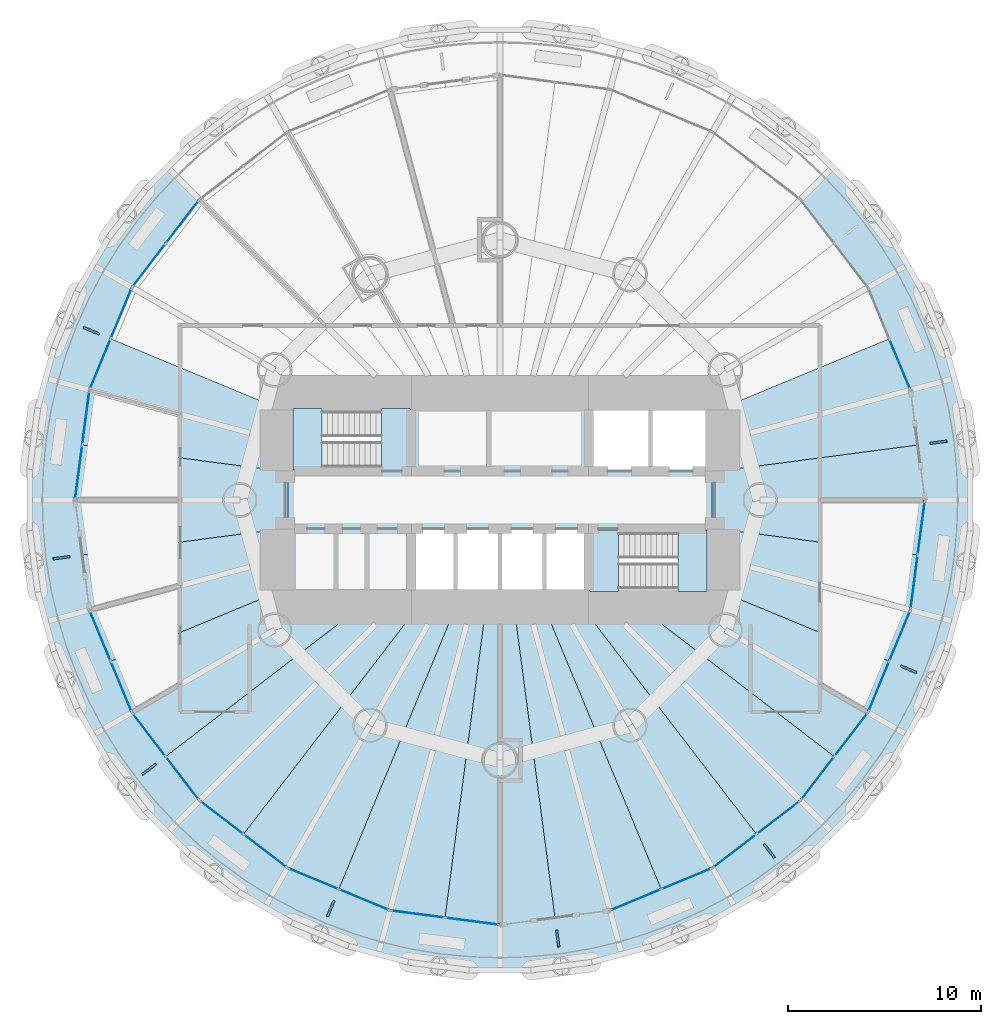
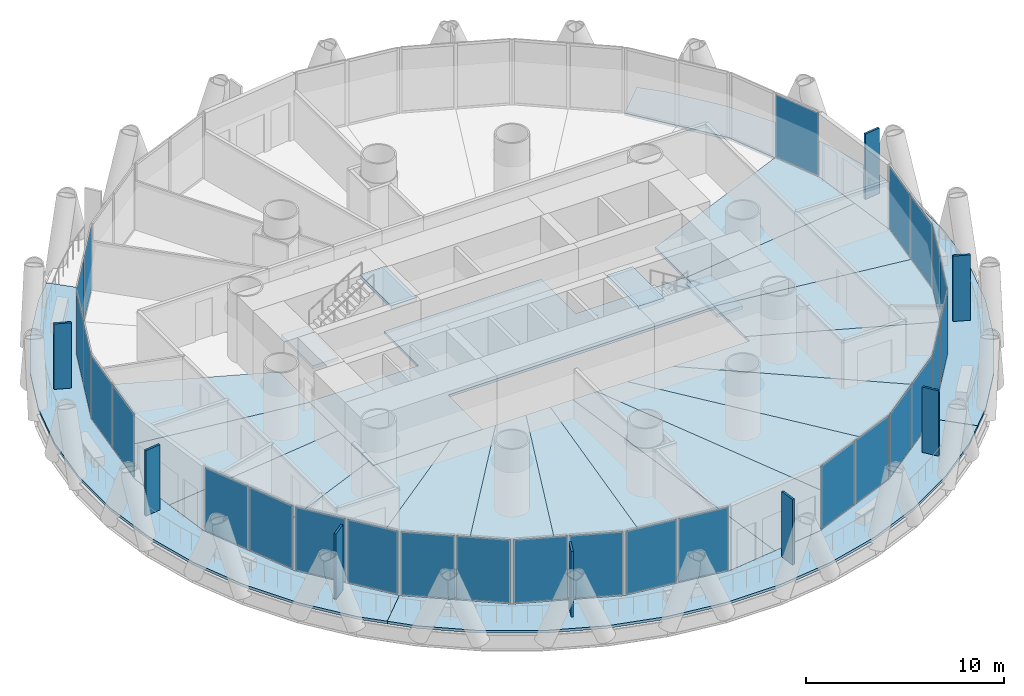
# One storey, part 8 of 16: 35 plates, 23 slabs, 16 elements without a shape of their own.
"""IFC4 building model written with IfcOpenShell, lengths in metres."""

from ifc_helpers import new_model, si_unit, direction, frame, origin, origin_2d, place, context, subcontext, project, spatial, polyline, rectangle, outline, extrude, material, layer, layer_set, type_object, element, aggregate, save


model = new_model("IFC4")

# Units and contexts
model_context = context("Model", 3, precision=1e-05, world=origin(), true_north=direction((0.0, 1.0)))
body_context = subcontext(model_context, "Body", "Model", "MODEL_VIEW")
ifc_project = project(units=[si_unit("LENGTHUNIT", "METRE"), si_unit("AREAUNIT", "SQUARE_METRE"), si_unit("VOLUMEUNIT", "CUBIC_METRE"), si_unit("PLANEANGLEUNIT", "RADIAN"), si_unit("MASSUNIT", "GRAM", prefix="KILO")], contexts=[model_context])

# Site, building, storey
site_placement = place(None, origin())
site = spatial("IfcSite", under=ifc_project, at=site_placement, CompositionType="ELEMENT")
building_placement = place(site_placement, origin())
building = spatial("IfcBuilding", under=site, at=building_placement, Name="Qaws Media Tower", CompositionType="ELEMENT")
storey_placement = place(building_placement, frame((0.0, 0.0, 181.39990234375)))
storey = spatial("IfcBuildingStorey", under=building, at=storey_placement, Name="L41", CompositionType="ELEMENT", Elevation=181.39990234375)

# Slabs
ifc_material_1 = material(Name="Concrete C35/45", Category="concrete")
ifc_layer_1 = layer(ifc_material_1, 0.159912109375)
ifc_layer_set_1 = layer_set([ifc_layer_1], Name="Composite balcony slab 160")
slab_type_1 = type_object("IfcSlabType", Name="Composite balcony slab 160", PredefinedType="FLOOR", material=ifc_layer_set_1)
slab_1_placement = place(storey_placement, frame((0.0, 0.0, -0.159912109375)))
element("IfcSlab", 1, at=slab_1_placement, inside=storey, type_object=slab_type_1, Name="S2 balcony slab L41 R10 to R16, movement joints on R10 and R16", PredefinedType="FLOOR", context=body_context, shape_type="SweptSolid", body=[
    extrude(outline(polyline([(41.617431640625, 33.87890625), (39.670654296875, 36.416259765625), (38.071533203125, 39.18603515625), (36.84765625, 42.140869140625), (36.019775390625, 45.22998046875), (35.602294921875, 48.40087890625), (35.602294921875, 51.59912109375), (36.019775390625, 54.77001953125), (36.84765625, 57.859130859375), (38.071533203125, 60.81396484375), (39.670654296875, 63.583740234375), (41.617431640625, 66.12109375), (42.748291015625, 67.251708984375), (44.408203125, 65.591796875), (40.904052734375, 61.02490234375), (38.701416015625, 55.70703125), (37.949951171875, 50.0), (38.701416015625, 44.29296875), (40.904052734375, 38.97509765625), (44.408203125, 34.408203125), (42.748291015625, 32.748291015625), (41.617431640625, 33.87890625)])), origin(), (0.0, 0.0, 1.0), 0.159912109375),
])
slab_2_placement = place(storey_placement, frame((0.0, 0.0, -0.159912109375)))
element("IfcSlab", 2, at=slab_2_placement, inside=storey, type_object=slab_type_1, Name="S2 balcony slab L41 R16 to R22, movement joints on R16 and R22", PredefinedType="FLOOR", context=body_context, shape_type="SweptSolid", body=[
    extrude(outline(polyline([(76.12109375, 31.617431640625), (73.583740234375, 29.670654296875), (70.81396484375, 28.071533203125), (67.859130859375, 26.84765625), (64.77001953125, 26.019775390625), (61.59912109375, 25.602294921875), (58.40087890625, 25.602294921875), (55.22998046875, 26.019775390625), (52.140869140625, 26.84765625), (49.18603515625, 28.071533203125), (46.416259765625, 29.670654296875), (43.87890625, 31.617431640625), (42.748291015625, 32.748291015625), (44.408203125, 34.408203125), (48.97509765625, 30.904052734375), (54.29296875, 28.701416015625), (60.0, 27.949951171875), (65.70703125, 28.701416015625), (71.02490234375, 30.904052734375), (75.591796875, 34.408203125), (77.251708984375, 32.748291015625), (76.12109375, 31.617431640625)])), origin(), (0.0, 0.0, 1.0), 0.159912109375),
])
slab_3_placement = place(storey_placement, frame((0.0, 0.0, -0.159912109375)))
element("IfcSlab", 3, at=slab_3_placement, inside=storey, type_object=slab_type_1, Name="S2 balcony slab L41 R22 to R04, movement joints on R22 and R04", PredefinedType="FLOOR", context=body_context, shape_type="SweptSolid", body=[
    extrude(outline(polyline([(83.980224609375, 45.22998046875), (83.15234375, 42.140869140625), (81.928466796875, 39.18603515625), (80.329345703125, 36.416259765625), (78.382568359375, 33.87890625), (77.251708984375, 32.748291015625), (75.591796875, 34.408203125), (79.095947265625, 38.97509765625), (81.298583984375, 44.29296875), (82.050048828125, 50.0), (81.298583984375, 55.70703125), (79.095947265625, 61.02490234375), (75.591796875, 65.591796875), (77.251708984375, 67.251708984375), (78.382568359375, 66.12109375), (80.329345703125, 63.583740234375), (81.928466796875, 60.81396484375), (83.15234375, 57.859130859375), (83.980224609375, 54.77001953125), (84.397705078125, 51.59912109375), (84.397705078125, 48.40087890625), (83.980224609375, 45.22998046875)])), origin(), (0.0, 0.0, 1.0), 0.159912109375),
])
ifc_material_2 = material(Name="Concrete C35/45", Category="concrete")
ifc_layer_2 = layer(ifc_material_2, 0.159912109375)
ifc_layer_set_2 = layer_set([ifc_layer_2], Name="Composite floor slab 160")
slab_type_2 = type_object("IfcSlabType", Name="Composite floor slab 160", PredefinedType="FLOOR", material=ifc_layer_set_2)
slab_4_placement = place(storey_placement, frame((0.0, 0.0, -0.159912109375)))
element("IfcSlab", 4, at=slab_4_placement, inside=storey, type_object=slab_type_2, Name="S1 core floor slab L41", PredefinedType="FLOOR", context=body_context, shape_type="SweptSolid", body=[
    extrude(outline(polyline([(71.0, 51.5), (71.0, 48.5), (55.39990234375, 48.5), (55.39990234375, 45.0), (49.0, 45.0), (49.0, 51.5), (55.39990234375, 51.5), (55.39990234375, 55.0), (64.60009765625, 55.0), (64.60009765625, 51.5), (71.0, 51.5)])), origin(), (0.0, 0.0, 1.0), 0.159912109375),
])
slab_5_placement = place(storey_placement, frame((0.0, 0.0, -0.159912109375)))
element("IfcSlab", 5, at=slab_5_placement, inside=storey, type_object=slab_type_2, Name="S1 floor panel L41 on R01", PredefinedType="FLOOR", context=body_context, shape_type="SweptSolid", body=[
    extrude(outline(polyline([(82.050048828125, 50.0), (81.67431640625, 47.146484375), (71.0, 48.5517578125), (71.0, 51.4482421875), (81.67431640625, 52.853515625), (82.050048828125, 50.0)])), origin(), (0.0, 0.0, 1.0), 0.159912109375),
])
slab_6_placement = place(storey_placement, frame((0.0, 0.0, -0.159912109375)))
element("IfcSlab", 6, at=slab_6_placement, inside=storey, type_object=slab_type_2, Name="S1 floor panel L41 on R02", PredefinedType="FLOOR", context=body_context, shape_type="SweptSolid", body=[
    extrude(outline(polyline([(81.298583984375, 55.70703125), (81.67431640625, 52.853515625), (71.0, 51.4482421875), (71.0, 54.556396484375), (80.197265625, 58.365966796875), (81.298583984375, 55.70703125)])), origin(), (0.0, 0.0, 1.0), 0.159912109375),
])
slab_7_placement = place(storey_placement, frame((0.0, 0.0, -0.159912109375)))
element("IfcSlab", 7, at=slab_7_placement, inside=storey, type_object=slab_type_2, Name="S1 floor panel L41 on R12", PredefinedType="FLOOR", context=body_context, shape_type="SweptSolid", body=[
    extrude(outline(polyline([(38.701416015625, 55.70703125), (39.802734375, 58.365966796875), (49.0, 54.556396484375), (49.0, 51.4482421875), (38.32568359375, 52.853515625), (38.701416015625, 55.70703125)])), origin(), (0.0, 0.0, 1.0), 0.159912109375),
])
slab_8_placement = place(storey_placement, frame((0.0, 0.0, -0.159912109375)))
element("IfcSlab", 8, at=slab_8_placement, inside=storey, type_object=slab_type_2, Name="S1 floor panel L41 on R13", PredefinedType="FLOOR", context=body_context, shape_type="SweptSolid", body=[
    extrude(outline(polyline([(37.949951171875, 50.0), (38.32568359375, 52.853515625), (49.0, 51.4482421875), (49.0, 48.5517578125), (38.32568359375, 47.146484375), (37.949951171875, 50.0)])), origin(), (0.0, 0.0, 1.0), 0.159912109375),
])
slab_9_placement = place(storey_placement, frame((0.0, 0.0, -0.159912109375)))
element("IfcSlab", 9, at=slab_9_placement, inside=storey, type_object=slab_type_2, Name="S1 floor panel L41 on R14", PredefinedType="FLOOR", context=body_context, shape_type="SweptSolid", body=[
    extrude(outline(polyline([(38.701416015625, 44.29296875), (38.32568359375, 47.146484375), (49.0, 48.5517578125), (49.0, 45.443603515625), (39.802734375, 41.634033203125), (38.701416015625, 44.29296875)])), origin(), (0.0, 0.0, 1.0), 0.159912109375),
])
slab_10_placement = place(storey_placement, frame((0.0, 0.0, -0.159912109375)))
element("IfcSlab", 10, at=slab_10_placement, inside=storey, type_object=slab_type_2, Name="S1 floor panel L41 on R15", PredefinedType="FLOOR", context=body_context, shape_type="SweptSolid", body=[
    extrude(outline(polyline([(40.904052734375, 38.97509765625), (39.802734375, 41.634033203125), (49.0, 45.443603515625), (49.0, 45.0), (53.48388671875, 45.0), (42.65625, 36.691650390625), (40.904052734375, 38.97509765625)])), origin(), (0.0, 0.0, 1.0), 0.159912109375),
])
slab_11_placement = place(storey_placement, frame((0.0, 0.0, -0.159912109375)))
element("IfcSlab", 11, at=slab_11_placement, inside=storey, type_object=slab_type_2, Name="S1 floor panel L41 on R16", PredefinedType="FLOOR", context=body_context, shape_type="SweptSolid", body=[
    extrude(outline(polyline([(44.408203125, 34.408203125), (42.65625, 36.691650390625), (53.48388671875, 45.0), (56.163330078125, 45.0), (46.691650390625, 32.65625), (44.408203125, 34.408203125)])), origin(), (0.0, 0.0, 1.0), 0.159912109375),
])
slab_12_placement = place(storey_placement, frame((0.0, 0.0, -0.159912109375)))
element("IfcSlab", 12, at=slab_12_placement, inside=storey, type_object=slab_type_2, Name="S1 floor panel L41 on R17", PredefinedType="FLOOR", context=body_context, shape_type="SweptSolid", body=[
    extrude(outline(polyline([(48.97509765625, 30.904052734375), (46.691650390625, 32.65625), (56.163330078125, 45.0), (57.928955078125, 45.0), (51.634033203125, 29.802734375), (48.97509765625, 30.904052734375)])), origin(), (0.0, 0.0, 1.0), 0.159912109375),
])
slab_13_placement = place(storey_placement, frame((0.0, 0.0, -0.159912109375)))
element("IfcSlab", 13, at=slab_13_placement, inside=storey, type_object=slab_type_2, Name="S1 floor panel L41 on R18", PredefinedType="FLOOR", context=body_context, shape_type="SweptSolid", body=[
    extrude(outline(polyline([(54.29296875, 28.701416015625), (51.634033203125, 29.802734375), (57.928955078125, 45.0), (59.341796875, 45.0), (57.146484375, 28.32568359375), (54.29296875, 28.701416015625)])), origin(), (0.0, 0.0, 1.0), 0.159912109375),
])
slab_14_placement = place(storey_placement, frame((0.0, 0.0, -0.159912109375)))
element("IfcSlab", 14, at=slab_14_placement, inside=storey, type_object=slab_type_2, Name="S1 floor panel L41 on R19", PredefinedType="FLOOR", context=body_context, shape_type="SweptSolid", body=[
    extrude(outline(polyline([(60.0, 27.949951171875), (57.146484375, 28.32568359375), (59.341796875, 45.0), (60.658203125, 45.0), (62.853515625, 28.32568359375), (60.0, 27.949951171875)])), origin(), (0.0, 0.0, 1.0), 0.159912109375),
])
slab_15_placement = place(storey_placement, frame((0.0, 0.0, -0.159912109375)))
element("IfcSlab", 15, at=slab_15_placement, inside=storey, type_object=slab_type_2, Name="S1 floor panel L41 on R20", PredefinedType="FLOOR", context=body_context, shape_type="SweptSolid", body=[
    extrude(outline(polyline([(65.70703125, 28.701416015625), (62.853515625, 28.32568359375), (60.658203125, 45.0), (62.071044921875, 45.0), (68.365966796875, 29.802734375), (65.70703125, 28.701416015625)])), origin(), (0.0, 0.0, 1.0), 0.159912109375),
])
slab_16_placement = place(storey_placement, frame((0.0, 0.0, -0.159912109375)))
element("IfcSlab", 16, at=slab_16_placement, inside=storey, type_object=slab_type_2, Name="S1 floor panel L41 on R21", PredefinedType="FLOOR", context=body_context, shape_type="SweptSolid", body=[
    extrude(outline(polyline([(71.02490234375, 30.904052734375), (68.365966796875, 29.802734375), (62.071044921875, 45.0), (63.836669921875, 45.0), (73.308349609375, 32.65625), (71.02490234375, 30.904052734375)])), origin(), (0.0, 0.0, 1.0), 0.159912109375),
])
slab_17_placement = place(storey_placement, frame((0.0, 0.0, -0.159912109375)))
element("IfcSlab", 17, at=slab_17_placement, inside=storey, type_object=slab_type_2, Name="S1 floor panel L41 on R22", PredefinedType="FLOOR", context=body_context, shape_type="SweptSolid", body=[
    extrude(outline(polyline([(75.591796875, 34.408203125), (73.308349609375, 32.65625), (63.836669921875, 45.0), (66.51611328125, 45.0), (77.34375, 36.691650390625), (75.591796875, 34.408203125)])), origin(), (0.0, 0.0, 1.0), 0.159912109375),
])
slab_18_placement = place(storey_placement, frame((0.0, 0.0, -0.159912109375)))
element("IfcSlab", 18, at=slab_18_placement, inside=storey, type_object=slab_type_2, Name="S1 floor panel L41 on R23", PredefinedType="FLOOR", context=body_context, shape_type="SweptSolid", body=[
    extrude(outline(polyline([(79.095947265625, 38.97509765625), (77.34375, 36.691650390625), (66.51611328125, 45.0), (71.0, 45.0), (71.0, 45.443603515625), (80.197265625, 41.634033203125), (79.095947265625, 38.97509765625)])), origin(), (0.0, 0.0, 1.0), 0.159912109375),
])
slab_19_placement = place(storey_placement, frame((0.0, 0.0, -0.159912109375)))
element("IfcSlab", 19, at=slab_19_placement, inside=storey, type_object=slab_type_2, Name="S1 floor panel L41 on R24", PredefinedType="FLOOR", context=body_context, shape_type="SweptSolid", body=[
    extrude(outline(polyline([(80.197265625, 41.634033203125), (71.0, 45.443603515625), (71.0, 48.5517578125), (81.67431640625, 47.146484375), (81.298583984375, 44.29296875), (80.197265625, 41.634033203125)])), origin(), (0.0, 0.0, 1.0), 0.159912109375),
])

# Curtain wall, plate
ifc_material_3 = material(Name="Aluminium and clear glass", Category="aluminium")
curtain_wall_type = type_object("IfcCurtainWallType", Name="Unitised curtain wall CW-B", PredefinedType="NOTDEFINED", material=ifc_material_3)
curtain_wall_1_placement = place(storey_placement, origin())
curtain_wall_1 = element("IfcCurtainWall", 20, at=curtain_wall_1_placement, inside=storey, type_object=curtain_wall_type, Name="CWB curtain wall L41-02", PredefinedType="NOTDEFINED")
ifc_material_4 = material(Name="Clear laminated double glazing", Category="glass")
ifc_layer_3 = layer(ifc_material_4, 0.031982421875)
ifc_layer_set_3 = layer_set([ifc_layer_3], Name="Curtain wall glass unit 32")
plate_type_1 = type_object("IfcPlateType", Name="Curtain wall glass unit 32", PredefinedType="CURTAIN_PANEL", material=ifc_layer_set_3)
plate_1_placement = place(storey_placement, frame((80.740234375, 57.054931640625, 0.080078125), z_axis=(0.0, 0.0, 1.0), x_axis=(-0.382683388877, 0.923879550525, 0.0)))
plate_1 = element("IfcPlate", 21, at=plate_1_placement, type_object=plate_type_1, Name="CWB panel 1.1", PredefinedType="CURTAIN_PANEL", context=body_context, shape_type="SweptSolid", body=[
    extrude(rectangle(XDim=2.758056640625, YDim=0.031982421875, at=origin_2d()), origin(), (0.0, 0.0, 1.0), 3.8798828125),
])
aggregate(curtain_wall_1, [plate_1])

# Curtain wall, plates
curtain_wall_2_placement = place(storey_placement, origin())
curtain_wall_2 = element("IfcCurtainWall", 22, at=curtain_wall_2_placement, inside=storey, type_object=curtain_wall_type, Name="CWB curtain wall L41-10", PredefinedType="NOTDEFINED")
plate_2_placement = place(storey_placement, frame((43.52001953125, 64.43408203125, 0.080078125), z_axis=(0.0, 0.0, 1.0), x_axis=(-0.608761320465, -0.79335342358, 0.0)))
plate_2 = element("IfcPlate", 23, at=plate_2_placement, type_object=plate_type_1, Name="CWB panel 1.1", PredefinedType="CURTAIN_PANEL", context=body_context, shape_type="SweptSolid", body=[
    extrude(rectangle(XDim=2.758056640625, YDim=0.031982421875, at=origin_2d()), origin(), (0.0, 0.0, 1.0), 3.8798828125),
])
plate_3_placement = place(storey_placement, frame((41.792236328125, 62.1826171875, 0.080078125), z_axis=(0.0, 0.0, 1.0), x_axis=(-0.608761320465, -0.79335342358, 0.0)))
plate_3 = element("IfcPlate", 24, at=plate_3_placement, type_object=plate_type_1, Name="CWB panel 2.1", PredefinedType="CURTAIN_PANEL", context=body_context, shape_type="SweptSolid", body=[
    extrude(rectangle(XDim=2.758056640625, YDim=0.031982421875, at=origin_2d()), origin(), (0.0, 0.0, 1.0), 3.8798828125),
])
aggregate(curtain_wall_2, [plate_2, plate_3])

curtain_wall_3_placement = place(storey_placement, origin())
curtain_wall_3 = element("IfcCurtainWall", 25, at=curtain_wall_3_placement, inside=storey, type_object=curtain_wall_type, Name="CWB curtain wall L41-11", PredefinedType="NOTDEFINED")
plate_4_placement = place(storey_placement, frame((40.345703125, 59.677001953125, 0.080078125), z_axis=(0.0, 0.0, 1.0), x_axis=(-0.382683388877, -0.923879550525, 0.0)))
plate_4 = element("IfcPlate", 26, at=plate_4_placement, type_object=plate_type_1, Name="CWB panel 1.1", PredefinedType="CURTAIN_PANEL", context=body_context, shape_type="SweptSolid", body=[
    extrude(rectangle(XDim=2.758056640625, YDim=0.031982421875, at=origin_2d()), origin(), (0.0, 0.0, 1.0), 3.8798828125),
])
plate_5_placement = place(storey_placement, frame((39.259765625, 57.054931640625, 0.080078125), z_axis=(0.0, 0.0, 1.0), x_axis=(-0.382683388877, -0.923879550525, 0.0)))
plate_5 = element("IfcPlate", 27, at=plate_5_placement, type_object=plate_type_1, Name="CWB panel 2.1", PredefinedType="CURTAIN_PANEL", context=body_context, shape_type="SweptSolid", body=[
    extrude(rectangle(XDim=2.758056640625, YDim=0.031982421875, at=origin_2d()), origin(), (0.0, 0.0, 1.0), 3.8798828125),
])
aggregate(curtain_wall_3, [plate_4, plate_5])

curtain_wall_4_placement = place(storey_placement, origin())
curtain_wall_4 = element("IfcCurtainWall", 28, at=curtain_wall_4_placement, inside=storey, type_object=curtain_wall_type, Name="CWB curtain wall L41-12", PredefinedType="NOTDEFINED")
plate_6_placement = place(storey_placement, frame((38.510986328125, 54.260498046875, 0.080078125), z_axis=(0.0, 0.0, 1.0), x_axis=(-0.130526271178, -0.991444850979, 0.0)))
plate_6 = element("IfcPlate", 29, at=plate_6_placement, type_object=plate_type_1, Name="CWB panel 1.1", PredefinedType="CURTAIN_PANEL", context=body_context, shape_type="SweptSolid", body=[
    extrude(rectangle(XDim=2.758056640625, YDim=0.031982421875, at=origin_2d()), origin(), (0.0, 0.0, 1.0), 3.8798828125),
])
plate_7_placement = place(storey_placement, frame((38.140380859375, 51.446533203125, 0.080078125), z_axis=(0.0, 0.0, 1.0), x_axis=(-0.130526271178, -0.991444850979, 0.0)))
plate_7 = element("IfcPlate", 30, at=plate_7_placement, type_object=plate_type_1, Name="CWB panel 2.1", PredefinedType="CURTAIN_PANEL", context=body_context, shape_type="SweptSolid", body=[
    extrude(rectangle(XDim=2.758056640625, YDim=0.031982421875, at=origin_2d()), origin(), (0.0, 0.0, 1.0), 3.8798828125),
])
aggregate(curtain_wall_4, [plate_6, plate_7])

curtain_wall_5_placement = place(storey_placement, origin())
curtain_wall_5 = element("IfcCurtainWall", 31, at=curtain_wall_5_placement, inside=storey, type_object=curtain_wall_type, Name="CWB curtain wall L41-14", PredefinedType="NOTDEFINED")
plate_8_placement = place(storey_placement, frame((39.259765625, 42.945068359375, 0.080078125), z_axis=(0.0, 0.0, 1.0), x_axis=(0.382683388877, -0.923879550525, 0.0)))
plate_8 = element("IfcPlate", 32, at=plate_8_placement, type_object=plate_type_1, Name="CWB panel 1.1", PredefinedType="CURTAIN_PANEL", context=body_context, shape_type="SweptSolid", body=[
    extrude(rectangle(XDim=2.758056640625, YDim=0.031982421875, at=origin_2d()), origin(), (0.0, 0.0, 1.0), 3.8798828125),
])
plate_9_placement = place(storey_placement, frame((40.345703125, 40.322998046875, 0.080078125), z_axis=(0.0, 0.0, 1.0), x_axis=(0.382683388877, -0.923879550525, 0.0)))
plate_9 = element("IfcPlate", 33, at=plate_9_placement, type_object=plate_type_1, Name="CWB panel 2.1", PredefinedType="CURTAIN_PANEL", context=body_context, shape_type="SweptSolid", body=[
    extrude(rectangle(XDim=2.758056640625, YDim=0.031982421875, at=origin_2d()), origin(), (0.0, 0.0, 1.0), 3.8798828125),
])
aggregate(curtain_wall_5, [plate_8, plate_9])

curtain_wall_6_placement = place(storey_placement, origin())
curtain_wall_6 = element("IfcCurtainWall", 34, at=curtain_wall_6_placement, inside=storey, type_object=curtain_wall_type, Name="CWB curtain wall L41-15", PredefinedType="NOTDEFINED")
plate_10_placement = place(storey_placement, frame((41.792236328125, 37.8173828125, 0.080078125), z_axis=(0.0, 0.0, 1.0), x_axis=(0.608761320465, -0.79335342358, 0.0)))
plate_10 = element("IfcPlate", 35, at=plate_10_placement, type_object=plate_type_1, Name="CWB panel 1.1", PredefinedType="CURTAIN_PANEL", context=body_context, shape_type="SweptSolid", body=[
    extrude(rectangle(XDim=2.758056640625, YDim=0.031982421875, at=origin_2d()), origin(), (0.0, 0.0, 1.0), 3.8798828125),
])
plate_11_placement = place(storey_placement, frame((43.52001953125, 35.56591796875, 0.080078125), z_axis=(0.0, 0.0, 1.0), x_axis=(0.608761320465, -0.79335342358, 0.0)))
plate_11 = element("IfcPlate", 36, at=plate_11_placement, type_object=plate_type_1, Name="CWB panel 2.1", PredefinedType="CURTAIN_PANEL", context=body_context, shape_type="SweptSolid", body=[
    extrude(rectangle(XDim=2.758056640625, YDim=0.031982421875, at=origin_2d()), origin(), (0.0, 0.0, 1.0), 3.8798828125),
])
aggregate(curtain_wall_6, [plate_10, plate_11])

curtain_wall_7_placement = place(storey_placement, origin())
curtain_wall_7 = element("IfcCurtainWall", 37, at=curtain_wall_7_placement, inside=storey, type_object=curtain_wall_type, Name="CWB curtain wall L41-16", PredefinedType="NOTDEFINED")
plate_12_placement = place(storey_placement, frame((45.56591796875, 33.52001953125, 0.080078125), z_axis=(0.0, 0.0, 1.0), x_axis=(0.79335342358, -0.608761320465, 0.0)))
plate_12 = element("IfcPlate", 38, at=plate_12_placement, type_object=plate_type_1, Name="CWB panel 1.1", PredefinedType="CURTAIN_PANEL", context=body_context, shape_type="SweptSolid", body=[
    extrude(rectangle(XDim=2.758056640625, YDim=0.031982421875, at=origin_2d()), origin(), (0.0, 0.0, 1.0), 3.8798828125),
])
plate_13_placement = place(storey_placement, frame((47.8173828125, 31.792236328125, 0.080078125), z_axis=(0.0, 0.0, 1.0), x_axis=(0.79335342358, -0.608761320465, 0.0)))
plate_13 = element("IfcPlate", 39, at=plate_13_placement, type_object=plate_type_1, Name="CWB panel 2.1", PredefinedType="CURTAIN_PANEL", context=body_context, shape_type="SweptSolid", body=[
    extrude(rectangle(XDim=2.758056640625, YDim=0.031982421875, at=origin_2d()), origin(), (0.0, 0.0, 1.0), 3.8798828125),
])
aggregate(curtain_wall_7, [plate_12, plate_13])

curtain_wall_8_placement = place(storey_placement, origin())
curtain_wall_8 = element("IfcCurtainWall", 40, at=curtain_wall_8_placement, inside=storey, type_object=curtain_wall_type, Name="CWB curtain wall L41-17", PredefinedType="NOTDEFINED")
plate_14_placement = place(storey_placement, frame((50.322998046875, 30.345703125, 0.080078125), z_axis=(0.0, 0.0, 1.0), x_axis=(0.923879550525, -0.382683388877, 0.0)))
plate_14 = element("IfcPlate", 41, at=plate_14_placement, type_object=plate_type_1, Name="CWB panel 1.1", PredefinedType="CURTAIN_PANEL", context=body_context, shape_type="SweptSolid", body=[
    extrude(rectangle(XDim=2.758056640625, YDim=0.031982421875, at=origin_2d()), origin(), (0.0, 0.0, 1.0), 3.8798828125),
])
plate_15_placement = place(storey_placement, frame((52.945068359375, 29.259765625, 0.080078125), z_axis=(0.0, 0.0, 1.0), x_axis=(0.923879550525, -0.382683388877, 0.0)))
plate_15 = element("IfcPlate", 42, at=plate_15_placement, type_object=plate_type_1, Name="CWB panel 2.1", PredefinedType="CURTAIN_PANEL", context=body_context, shape_type="SweptSolid", body=[
    extrude(rectangle(XDim=2.758056640625, YDim=0.031982421875, at=origin_2d()), origin(), (0.0, 0.0, 1.0), 3.8798828125),
])
aggregate(curtain_wall_8, [plate_14, plate_15])

curtain_wall_9_placement = place(storey_placement, origin())
curtain_wall_9 = element("IfcCurtainWall", 43, at=curtain_wall_9_placement, inside=storey, type_object=curtain_wall_type, Name="CWB curtain wall L41-18", PredefinedType="NOTDEFINED")
plate_16_placement = place(storey_placement, frame((55.739501953125, 28.510986328125, 0.080078125), z_axis=(0.0, 0.0, 1.0), x_axis=(0.991444850979, -0.130526271178, 0.0)))
plate_16 = element("IfcPlate", 44, at=plate_16_placement, type_object=plate_type_1, Name="CWB panel 1.1", PredefinedType="CURTAIN_PANEL", context=body_context, shape_type="SweptSolid", body=[
    extrude(rectangle(XDim=2.758056640625, YDim=0.031982421875, at=origin_2d()), origin(), (0.0, 0.0, 1.0), 3.8798828125),
])
plate_17_placement = place(storey_placement, frame((58.553466796875, 28.140380859375, 0.080078125), z_axis=(0.0, 0.0, 1.0), x_axis=(0.991444850979, -0.130526271178, 0.0)))
plate_17 = element("IfcPlate", 45, at=plate_17_placement, type_object=plate_type_1, Name="CWB panel 2.1", PredefinedType="CURTAIN_PANEL", context=body_context, shape_type="SweptSolid", body=[
    extrude(rectangle(XDim=2.758056640625, YDim=0.031982421875, at=origin_2d()), origin(), (0.0, 0.0, 1.0), 3.8798828125),
])
aggregate(curtain_wall_9, [plate_16, plate_17])

curtain_wall_10_placement = place(storey_placement, origin())
curtain_wall_10 = element("IfcCurtainWall", 46, at=curtain_wall_10_placement, inside=storey, type_object=curtain_wall_type, Name="CWB curtain wall L41-20", PredefinedType="NOTDEFINED")
plate_18_placement = place(storey_placement, frame((67.054931640625, 29.259765625, 0.080078125), z_axis=(0.0, 0.0, 1.0), x_axis=(0.923879550525, 0.382683388877, 0.0)))
plate_18 = element("IfcPlate", 47, at=plate_18_placement, type_object=plate_type_1, Name="CWB panel 1.1", PredefinedType="CURTAIN_PANEL", context=body_context, shape_type="SweptSolid", body=[
    extrude(rectangle(XDim=2.758056640625, YDim=0.031982421875, at=origin_2d()), origin(), (0.0, 0.0, 1.0), 3.8798828125),
])
plate_19_placement = place(storey_placement, frame((69.677001953125, 30.345703125, 0.080078125), z_axis=(0.0, 0.0, 1.0), x_axis=(0.923879550525, 0.382683388877, 0.0)))
plate_19 = element("IfcPlate", 48, at=plate_19_placement, type_object=plate_type_1, Name="CWB panel 2.1", PredefinedType="CURTAIN_PANEL", context=body_context, shape_type="SweptSolid", body=[
    extrude(rectangle(XDim=2.758056640625, YDim=0.031982421875, at=origin_2d()), origin(), (0.0, 0.0, 1.0), 3.8798828125),
])
aggregate(curtain_wall_10, [plate_18, plate_19])

curtain_wall_11_placement = place(storey_placement, origin())
curtain_wall_11 = element("IfcCurtainWall", 49, at=curtain_wall_11_placement, inside=storey, type_object=curtain_wall_type, Name="CWB curtain wall L41-21", PredefinedType="NOTDEFINED")
plate_20_placement = place(storey_placement, frame((72.1826171875, 31.792236328125, 0.080078125), z_axis=(0.0, 0.0, 1.0), x_axis=(0.79335342358, 0.608761320465, 0.0)))
plate_20 = element("IfcPlate", 50, at=plate_20_placement, type_object=plate_type_1, Name="CWB panel 1.1", PredefinedType="CURTAIN_PANEL", context=body_context, shape_type="SweptSolid", body=[
    extrude(rectangle(XDim=2.758056640625, YDim=0.031982421875, at=origin_2d()), origin(), (0.0, 0.0, 1.0), 3.8798828125),
])
plate_21_placement = place(storey_placement, frame((74.43408203125, 33.52001953125, 0.080078125), z_axis=(0.0, 0.0, 1.0), x_axis=(0.79335342358, 0.608761320465, 0.0)))
plate_21 = element("IfcPlate", 51, at=plate_21_placement, type_object=plate_type_1, Name="CWB panel 2.1", PredefinedType="CURTAIN_PANEL", context=body_context, shape_type="SweptSolid", body=[
    extrude(rectangle(XDim=2.758056640625, YDim=0.031982421875, at=origin_2d()), origin(), (0.0, 0.0, 1.0), 3.8798828125),
])
aggregate(curtain_wall_11, [plate_20, plate_21])

curtain_wall_12_placement = place(storey_placement, origin())
curtain_wall_12 = element("IfcCurtainWall", 52, at=curtain_wall_12_placement, inside=storey, type_object=curtain_wall_type, Name="CWB curtain wall L41-22", PredefinedType="NOTDEFINED")
plate_22_placement = place(storey_placement, frame((76.47998046875, 35.56591796875, 0.080078125), z_axis=(0.0, 0.0, 1.0), x_axis=(0.608761320465, 0.79335342358, 0.0)))
plate_22 = element("IfcPlate", 53, at=plate_22_placement, type_object=plate_type_1, Name="CWB panel 1.1", PredefinedType="CURTAIN_PANEL", context=body_context, shape_type="SweptSolid", body=[
    extrude(rectangle(XDim=2.758056640625, YDim=0.031982421875, at=origin_2d()), origin(), (0.0, 0.0, 1.0), 3.8798828125),
])
plate_23_placement = place(storey_placement, frame((78.207763671875, 37.8173828125, 0.080078125), z_axis=(0.0, 0.0, 1.0), x_axis=(0.608761320465, 0.79335342358, 0.0)))
plate_23 = element("IfcPlate", 54, at=plate_23_placement, type_object=plate_type_1, Name="CWB panel 2.1", PredefinedType="CURTAIN_PANEL", context=body_context, shape_type="SweptSolid", body=[
    extrude(rectangle(XDim=2.758056640625, YDim=0.031982421875, at=origin_2d()), origin(), (0.0, 0.0, 1.0), 3.8798828125),
])
aggregate(curtain_wall_12, [plate_22, plate_23])

curtain_wall_13_placement = place(storey_placement, origin())
curtain_wall_13 = element("IfcCurtainWall", 55, at=curtain_wall_13_placement, inside=storey, type_object=curtain_wall_type, Name="CWB curtain wall L41-23", PredefinedType="NOTDEFINED")
plate_24_placement = place(storey_placement, frame((79.654296875, 40.322998046875, 0.080078125), z_axis=(0.0, 0.0, 1.0), x_axis=(0.382683388877, 0.923879550525, 0.0)))
plate_24 = element("IfcPlate", 56, at=plate_24_placement, type_object=plate_type_1, Name="CWB panel 1.1", PredefinedType="CURTAIN_PANEL", context=body_context, shape_type="SweptSolid", body=[
    extrude(rectangle(XDim=2.758056640625, YDim=0.031982421875, at=origin_2d()), origin(), (0.0, 0.0, 1.0), 3.8798828125),
])
plate_25_placement = place(storey_placement, frame((80.740234375, 42.945068359375, 0.080078125), z_axis=(0.0, 0.0, 1.0), x_axis=(0.382683388877, 0.923879550525, 0.0)))
plate_25 = element("IfcPlate", 57, at=plate_25_placement, type_object=plate_type_1, Name="CWB panel 2.1", PredefinedType="CURTAIN_PANEL", context=body_context, shape_type="SweptSolid", body=[
    extrude(rectangle(XDim=2.758056640625, YDim=0.031982421875, at=origin_2d()), origin(), (0.0, 0.0, 1.0), 3.8798828125),
])
aggregate(curtain_wall_13, [plate_24, plate_25])

curtain_wall_14_placement = place(storey_placement, origin())
curtain_wall_14 = element("IfcCurtainWall", 58, at=curtain_wall_14_placement, inside=storey, type_object=curtain_wall_type, Name="CWB curtain wall L41-24", PredefinedType="NOTDEFINED")
plate_26_placement = place(storey_placement, frame((81.489013671875, 45.739501953125, 0.080078125), z_axis=(0.0, 0.0, 1.0), x_axis=(0.130526271178, 0.991444850979, 0.0)))
plate_26 = element("IfcPlate", 59, at=plate_26_placement, type_object=plate_type_1, Name="CWB panel 1.1", PredefinedType="CURTAIN_PANEL", context=body_context, shape_type="SweptSolid", body=[
    extrude(rectangle(XDim=2.758056640625, YDim=0.031982421875, at=origin_2d()), origin(), (0.0, 0.0, 1.0), 3.8798828125),
])
plate_27_placement = place(storey_placement, frame((81.859619140625, 48.553466796875, 0.080078125), z_axis=(0.0, 0.0, 1.0), x_axis=(0.130526271178, 0.991444850979, 0.0)))
plate_27 = element("IfcPlate", 60, at=plate_27_placement, type_object=plate_type_1, Name="CWB panel 2.1", PredefinedType="CURTAIN_PANEL", context=body_context, shape_type="SweptSolid", body=[
    extrude(rectangle(XDim=2.758056640625, YDim=0.031982421875, at=origin_2d()), origin(), (0.0, 0.0, 1.0), 3.8798828125),
])
aggregate(curtain_wall_14, [plate_26, plate_27])

# Plates
ifc_material_5 = material(Name="Precast concrete screen fin", Category="concrete")
ifc_layer_4 = layer(ifc_material_5, 0.1201171875)
ifc_layer_set_4 = layer_set([ifc_layer_4], Name="Screen fin 120x900")
plate_type_2 = type_object("IfcPlateType", Name="Screen fin 120x900", PredefinedType="USERDEFINED", material=ifc_layer_set_4)
for number, where, z_axis, x_axis, name in (
    (61, (82.753662109375, 52.99560546875, 0.0), (0.0, 0.0, 1.0), (0.991444861374, 0.13052619222, 0.0), "SCR1 screen fin L41-01"),
    (62, (38.796875, 58.782470703125, 0.0), (0.0, 0.0, 1.0), (-0.923879532511, 0.382683432365, 0.0), "SCR1 screen fin L41-06"),
    (63, (37.246337890625, 47.00439453125, 0.0), (0.0, 0.0, 1.0), (-0.991444861374, -0.13052619222, 0.0), "SCR1 screen fin L41-07"),
    (64, (41.79248046875, 36.02880859375, 0.0), (0.0, 0.0, 1.0), (-0.793353340291, -0.608761429009, 0.0), "SCR1 screen fin L41-08"),
    (65, (51.217529296875, 28.796875, 0.0), (0.0, 0.0, 1.0), (-0.382683432365, -0.923879532511, 0.0), "SCR1 screen fin L41-09"),
    (66, (62.99560546875, 27.246337890625, 0.0), (0.0, 0.0, 1.0), (0.13052619222, -0.991444861374, 0.0), "SCR1 screen fin L41-10"),
    (67, (73.97119140625, 31.79248046875, 0.0), (0.0, 0.0, 1.0), (0.608761429009, -0.793353340291, 0.0), "SCR1 screen fin L41-11"),
    (68, (81.203125, 41.217529296875, 0.0), (0.0, 0.0, 1.0), (0.923879532511, -0.382683432365, 0.0), "SCR1 screen fin L41-12"),
):
    element("IfcPlate", number, at=place(storey_placement, frame(where, z_axis=z_axis, x_axis=x_axis)), inside=storey, type_object=plate_type_2, Name=name, ObjectType="SCREEN", PredefinedType="USERDEFINED", context=body_context, shape_type="SweptSolid", body=[
        extrude(rectangle(XDim=0.89990234375, YDim=0.1201171875, at=origin_2d()), origin(), (0.0, 0.0, 1.0), 4.0400390625),
    ])

# Stair, slabs
ifc_material_6 = material(Name="Concrete C40/50", Category="concrete")
stair_type = type_object("IfcStairType", Name="Exit stair", PredefinedType="HALF_TURN_STAIR", material=ifc_material_6)
stair_1_placement = place(storey_placement, origin())
stair_1 = element("IfcStair", 69, at=stair_1_placement, inside=storey, type_object=stair_type, Name="S1 exit stair L41", PredefinedType="HALF_TURN_STAIR")
ifc_material_7 = material(Name="Concrete C40/50", Category="concrete")
ifc_layer_5 = layer(ifc_material_7, 0.199951171875)
ifc_layer_set_5 = layer_set([ifc_layer_5], Name="Stair landing 200")
slab_type_3 = type_object("IfcSlabType", Name="Stair landing 200", PredefinedType="LANDING", material=ifc_layer_set_5)
slab_20_placement = place(storey_placement, frame((0.0, 0.0, 1.900146484375)))
slab_20 = element("IfcSlab", 70, at=slab_20_placement, type_object=slab_type_3, Name="S1 landing 1", PredefinedType="LANDING", context=body_context, shape_type="SweptSolid", body=[
    extrude(outline(polyline([(49.25, 51.550048828125), (50.760009765625, 51.550048828125), (50.760009765625, 54.75), (49.25, 54.75), (49.25, 51.550048828125)])), origin(), (0.0, 0.0, 1.0), 0.199951171875),
])
slab_21_placement = place(storey_placement, frame((0.0, 0.0, 4.0)))
slab_21 = element("IfcSlab", 71, at=slab_21_placement, type_object=slab_type_3, Name="S1 landing 2", PredefinedType="LANDING", context=body_context, shape_type="SweptSolid", body=[
    extrude(outline(polyline([(53.840087890625, 51.550048828125), (55.35009765625, 51.550048828125), (55.35009765625, 54.75), (53.840087890625, 54.75), (53.840087890625, 51.550048828125)])), origin(), (0.0, 0.0, 1.0), 0.2001953125),
])
aggregate(stair_1, [slab_20, slab_21])

stair_2_placement = place(storey_placement, origin())
stair_2 = element("IfcStair", 72, at=stair_2_placement, inside=storey, type_object=stair_type, Name="S2 exit stair L41", PredefinedType="HALF_TURN_STAIR")
slab_22_placement = place(storey_placement, frame((0.0, 0.0, 1.900146484375)))
slab_22 = element("IfcSlab", 73, at=slab_22_placement, type_object=slab_type_3, Name="S2 landing 1", PredefinedType="LANDING", context=body_context, shape_type="SweptSolid", body=[
    extrude(outline(polyline([(69.239990234375, 45.25), (70.75, 45.25), (70.75, 48.449951171875), (69.239990234375, 48.449951171875), (69.239990234375, 45.25)])), origin(), (0.0, 0.0, 1.0), 0.199951171875),
])
slab_23_placement = place(storey_placement, frame((0.0, 0.0, 4.0)))
slab_23 = element("IfcSlab", 74, at=slab_23_placement, type_object=slab_type_3, Name="S2 landing 2", PredefinedType="LANDING", context=body_context, shape_type="SweptSolid", body=[
    extrude(outline(polyline([(64.64990234375, 45.25), (66.159912109375, 45.25), (66.159912109375, 48.449951171875), (64.64990234375, 48.449951171875), (64.64990234375, 45.25)])), origin(), (0.0, 0.0, 1.0), 0.2001953125),
])
aggregate(stair_2, [slab_22, slab_23])

save(model, "model.ifc")
